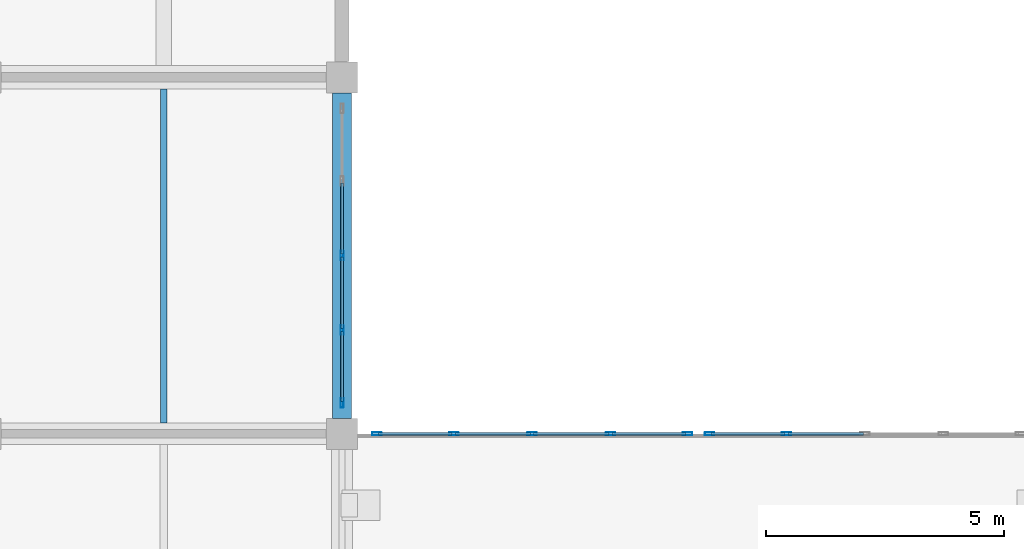
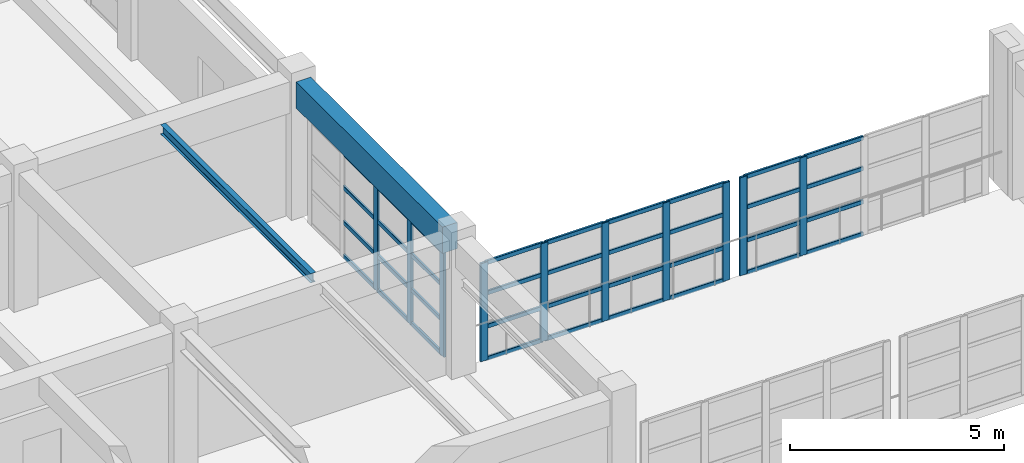
# One storey, part 50 of 132: 46 members, 2 beams, 3 elements without a shape of their own.
"""IFC4 building model written with IfcOpenShell, lengths in metres."""

from ifc_helpers import new_model, si_unit, direction, frame, origin, origin_2d, place, context, subcontext, project, spatial, rectangle, hollow_rectangle, i_section, extrude, material, material_profile, profile_set, type_object, element, aggregate, save


model = new_model("IFC4")

# Units and contexts
model_context = context("Model", 3, precision=1e-05, world=origin(), true_north=direction((0.0, 1.0)))
body_context = subcontext(model_context, "Body", "Model", "MODEL_VIEW")
ifc_project = project(units=[si_unit("LENGTHUNIT", "METRE"), si_unit("AREAUNIT", "SQUARE_METRE"), si_unit("VOLUMEUNIT", "CUBIC_METRE"), si_unit("PLANEANGLEUNIT", "RADIAN"), si_unit("MASSUNIT", "GRAM", prefix="KILO")], contexts=[model_context])

# Site, building, storey
site_placement = place(None, origin())
site = spatial("IfcSite", under=ifc_project, at=site_placement, CompositionType="ELEMENT")
building_placement = place(site_placement, origin())
building = spatial("IfcBuilding", under=site, at=building_placement, Name="Qasida Concert Hall", CompositionType="ELEMENT")
storey_placement = place(building_placement, frame((0.0, 0.0, 4.800048828125)))
storey = spatial("IfcBuildingStorey", under=building, at=storey_placement, Name="L01", CompositionType="ELEMENT", Elevation=4.800048828125)

# Beams
ifc_material_1 = material(Name="Steel S355J2", Category="steel")
ifc_material_profile_1 = material_profile(ifc_material_1, i_section(OverallWidth=0.135009765625, OverallDepth=0.27001953125, WebThickness=0.006591796875, FlangeThickness=0.01025390625, FilletRadius=0.014892578125, at=origin_2d()), Name="IPE 270")
ifc_profile_set_1 = profile_set([ifc_material_profile_1], Name="Steel S355J2")
beam_type_1 = type_object("IfcBeamType", Name="BM-J6", PredefinedType="JOIST", material=ifc_profile_set_1)
beam_1_placement = place(storey_placement, frame((33.75, 82.72509765625, 3.784912109375), z_axis=(0.0, 1.0, 0.0), x_axis=(-1.0, 0.0, 0.0)))
element("IfcBeam", 1, at=beam_1_placement, inside=storey, type_object=beam_type_1, Name="L01 secondary joist 1133", PredefinedType="JOIST", context=body_context, shape_type="SweptSolid", body=[
    extrude(i_section(OverallWidth=0.135009765625, OverallDepth=0.27001953125, WebThickness=0.006591796875, FlangeThickness=0.01025390625, FilletRadius=0.014892578125, at=origin_2d()), origin(), (0.0, 0.0, 1.0), 7.02490234375),
])
ifc_material_2 = material(Name="Concrete C40/50", Category="concrete")
ifc_material_profile_2 = material_profile(ifc_material_2, rectangle(XDim=0.39990234375, YDim=0.75, at=origin_2d()), Name="RC 400x750")
ifc_profile_set_2 = profile_set([ifc_material_profile_2], Name="Concrete C40/50")
beam_type_2 = type_object("IfcBeamType", Name="BM-SP1", PredefinedType="SPANDREL", material=ifc_profile_set_2)
beam_2_placement = place(storey_placement, frame((37.5, 82.824951171875, 3.544921875), z_axis=(0.0, 1.0, 0.0), x_axis=(-1.0, 0.0, 0.0)))
element("IfcBeam", 2, at=beam_2_placement, inside=storey, type_object=beam_type_2, Name="L01 girder 1110", PredefinedType="SPANDREL", context=body_context, shape_type="SweptSolid", body=[
    extrude(rectangle(XDim=0.39990234375, YDim=0.75, at=origin_2d()), origin(), (0.0, 0.0, 1.0), 6.85009765625),
])

# Curtain wall, members
ifc_material_3 = material(Name="Architectural bronze-anodized aluminium and low-E glass", Category="aluminium")
curtain_wall_type = type_object("IfcCurtainWallType", Name="CW-08", PredefinedType="NOTDEFINED", material=ifc_material_3)
curtain_wall_1_placement = place(storey_placement, origin())
curtain_wall_1 = element("IfcCurtainWall", 3, at=curtain_wall_1_placement, inside=storey, type_object=curtain_wall_type, Name="L01 curtain wall CW-08 0186", PredefinedType="NOTDEFINED")
ifc_material_4 = material(Name="Architectural bronze-anodized aluminium EN AW-6063", Category="aluminium")
ifc_material_profile_3 = material_profile(ifc_material_4, hollow_rectangle(XDim=0.06494140625, YDim=0.199951171875, WallThickness=0.0048828125, InnerFilletRadius=0.0048828125, OuterFilletRadius=0.010009765625, at=origin_2d()), Name="CWM 200x65x5")
ifc_profile_set_3 = profile_set([ifc_material_profile_3], Name="Architectural bronze-anodized aluminium EN AW-6063")
member_type_1 = type_object("IfcMemberType", Name="MB-CWM-2", PredefinedType="MULLION", material=ifc_profile_set_3)
member_1_placement = place(storey_placement, frame((37.5, 83.152587890625, 0.0), z_axis=(0.0, 0.0, 1.0), x_axis=(-1.0, 0.0, 0.0)))
member_1 = element("IfcMember", 4, at=member_1_placement, type_object=member_type_1, Name="CW-08 mullion 1", PredefinedType="MULLION", context=body_context, shape_type="SweptSolid", body=[
    extrude(hollow_rectangle(XDim=0.06494140625, YDim=0.199951171875, WallThickness=0.0048828125, InnerFilletRadius=0.0048828125, OuterFilletRadius=0.010009765625, at=origin_2d()), origin(), (0.0, 0.0, 1.0), 2.989990234375),
])
member_2_placement = place(storey_placement, frame((37.5, 84.68505859375, 0.0), z_axis=(0.0, 0.0, 1.0), x_axis=(-1.0, 0.0, 0.0)))
member_2 = element("IfcMember", 5, at=member_2_placement, type_object=member_type_1, Name="CW-08 mullion 2", PredefinedType="MULLION", context=body_context, shape_type="SweptSolid", body=[
    extrude(hollow_rectangle(XDim=0.06494140625, YDim=0.199951171875, WallThickness=0.0048828125, InnerFilletRadius=0.0048828125, OuterFilletRadius=0.010009765625, at=origin_2d()), origin(), (0.0, 0.0, 1.0), 2.989990234375),
])
member_3_placement = place(storey_placement, frame((37.5, 86.25, 0.0), z_axis=(0.0, 0.0, 1.0), x_axis=(-1.0, 0.0, 0.0)))
member_3 = element("IfcMember", 6, at=member_3_placement, type_object=member_type_1, Name="CW-08 mullion 3", PredefinedType="MULLION", context=body_context, shape_type="SweptSolid", body=[
    extrude(hollow_rectangle(XDim=0.06494140625, YDim=0.199951171875, WallThickness=0.0048828125, InnerFilletRadius=0.0048828125, OuterFilletRadius=0.010009765625, at=origin_2d()), origin(), (0.0, 0.0, 1.0), 2.989990234375),
])

curtain_wall_2_placement = place(storey_placement, origin())
curtain_wall_2 = element("IfcCurtainWall", 7, at=curtain_wall_2_placement, inside=storey, type_object=curtain_wall_type, Name="L01 link bridge glazing 0215", PredefinedType="NOTDEFINED")
member_4_placement = place(storey_placement, frame((38.232421875, 82.5, 0.0), z_axis=(0.0, 0.0, 1.0), x_axis=(0.0, 1.0, 0.0)))
member_4 = element("IfcMember", 8, at=member_4_placement, type_object=member_type_1, Name="CW-08 mullion 1", PredefinedType="MULLION", context=body_context, shape_type="SweptSolid", body=[
    extrude(hollow_rectangle(XDim=0.06494140625, YDim=0.199951171875, WallThickness=0.0048828125, InnerFilletRadius=0.0048828125, OuterFilletRadius=0.010009765625, at=origin_2d()), origin(), (0.0, 0.0, 1.0), 2.800048828125),
])
member_5_placement = place(storey_placement, frame((39.85009765625, 82.5, 0.0), z_axis=(0.0, 0.0, 1.0), x_axis=(0.0, 1.0, 0.0)))
member_5 = element("IfcMember", 9, at=member_5_placement, type_object=member_type_1, Name="CW-08 mullion 2", PredefinedType="MULLION", context=body_context, shape_type="SweptSolid", body=[
    extrude(hollow_rectangle(XDim=0.06494140625, YDim=0.199951171875, WallThickness=0.0048828125, InnerFilletRadius=0.0048828125, OuterFilletRadius=0.010009765625, at=origin_2d()), origin(), (0.0, 0.0, 1.0), 2.800048828125),
])
member_6_placement = place(storey_placement, frame((41.5, 82.5, 0.0), z_axis=(0.0, 0.0, 1.0), x_axis=(0.0, 1.0, 0.0)))
member_6 = element("IfcMember", 10, at=member_6_placement, type_object=member_type_1, Name="CW-08 mullion 3", PredefinedType="MULLION", context=body_context, shape_type="SweptSolid", body=[
    extrude(hollow_rectangle(XDim=0.06494140625, YDim=0.199951171875, WallThickness=0.0048828125, InnerFilletRadius=0.0048828125, OuterFilletRadius=0.010009765625, at=origin_2d()), origin(), (0.0, 0.0, 1.0), 2.800048828125),
])
member_7_placement = place(storey_placement, frame((43.14990234375, 82.5, 0.0), z_axis=(0.0, 0.0, 1.0), x_axis=(0.0, 1.0, 0.0)))
member_7 = element("IfcMember", 11, at=member_7_placement, type_object=member_type_1, Name="CW-08 mullion 4", PredefinedType="MULLION", context=body_context, shape_type="SweptSolid", body=[
    extrude(hollow_rectangle(XDim=0.06494140625, YDim=0.199951171875, WallThickness=0.0048828125, InnerFilletRadius=0.0048828125, OuterFilletRadius=0.010009765625, at=origin_2d()), origin(), (0.0, 0.0, 1.0), 2.800048828125),
])
member_8_placement = place(storey_placement, frame((44.767578125, 82.5, 0.0), z_axis=(0.0, 0.0, 1.0), x_axis=(0.0, 1.0, 0.0)))
member_8 = element("IfcMember", 12, at=member_8_placement, type_object=member_type_1, Name="CW-08 mullion 5", PredefinedType="MULLION", context=body_context, shape_type="SweptSolid", body=[
    extrude(hollow_rectangle(XDim=0.06494140625, YDim=0.199951171875, WallThickness=0.0048828125, InnerFilletRadius=0.0048828125, OuterFilletRadius=0.010009765625, at=origin_2d()), origin(), (0.0, 0.0, 1.0), 2.800048828125),
])

curtain_wall_3_placement = place(storey_placement, origin())
curtain_wall_3 = element("IfcCurtainWall", 13, at=curtain_wall_3_placement, inside=storey, type_object=curtain_wall_type, Name="L01 link bridge glazing 0217", PredefinedType="NOTDEFINED")
member_9_placement = place(storey_placement, frame((45.232421875, 82.5, 0.0), z_axis=(0.0, 0.0, 1.0), x_axis=(0.0, 1.0, 0.0)))
member_9 = element("IfcMember", 14, at=member_9_placement, type_object=member_type_1, Name="CW-08 mullion 1", PredefinedType="MULLION", context=body_context, shape_type="SweptSolid", body=[
    extrude(hollow_rectangle(XDim=0.06494140625, YDim=0.199951171875, WallThickness=0.0048828125, InnerFilletRadius=0.0048828125, OuterFilletRadius=0.010009765625, at=origin_2d()), origin(), (0.0, 0.0, 1.0), 2.800048828125),
])
member_10_placement = place(storey_placement, frame((46.85009765625, 82.5, 0.0), z_axis=(0.0, 0.0, 1.0), x_axis=(0.0, 1.0, 0.0)))
member_10 = element("IfcMember", 15, at=member_10_placement, type_object=member_type_1, Name="CW-08 mullion 2", PredefinedType="MULLION", context=body_context, shape_type="SweptSolid", body=[
    extrude(hollow_rectangle(XDim=0.06494140625, YDim=0.199951171875, WallThickness=0.0048828125, InnerFilletRadius=0.0048828125, OuterFilletRadius=0.010009765625, at=origin_2d()), origin(), (0.0, 0.0, 1.0), 2.800048828125),
])

# Member
ifc_material_profile_4 = material_profile(ifc_material_4, hollow_rectangle(XDim=0.06005859375, YDim=0.1201171875, WallThickness=0.00390625, InnerFilletRadius=0.00390625, OuterFilletRadius=0.008056640625, at=origin_2d()), Name="CWT 120x60x4")
ifc_profile_set_4 = profile_set([ifc_material_profile_4], Name="Architectural bronze-anodized aluminium EN AW-6063")
member_type_2 = type_object("IfcMemberType", Name="MB-CWT-2", PredefinedType="USERDEFINED", material=ifc_profile_set_4)
member_11_placement = place(storey_placement, frame((37.5, 83.18505859375, 0.030029296875), z_axis=(0.0, 1.0, 0.0), x_axis=(-1.0, 0.0, 0.0)))
member_11 = element("IfcMember", 16, at=member_11_placement, type_object=member_type_2, Name="CW-08 transom 1.1", ObjectType="TRANSOM", PredefinedType="USERDEFINED", context=body_context, shape_type="SweptSolid", body=[
    extrude(hollow_rectangle(XDim=0.06005859375, YDim=0.1201171875, WallThickness=0.00390625, InnerFilletRadius=0.00390625, OuterFilletRadius=0.008056640625, at=origin_2d()), origin(), (0.0, 0.0, 1.0), 1.467529296875),
])

member_12_placement = place(storey_placement, frame((37.5, 83.18505859375, 0.99658203125), z_axis=(0.0, 1.0, 0.0), x_axis=(-1.0, 0.0, 0.0)))
member_12 = element("IfcMember", 17, at=member_12_placement, type_object=member_type_2, Name="CW-08 transom 1.2", ObjectType="TRANSOM", PredefinedType="USERDEFINED", context=body_context, shape_type="SweptSolid", body=[
    extrude(hollow_rectangle(XDim=0.06005859375, YDim=0.1201171875, WallThickness=0.00390625, InnerFilletRadius=0.00390625, OuterFilletRadius=0.008056640625, at=origin_2d()), origin(), (0.0, 0.0, 1.0), 1.467529296875),
])

member_13_placement = place(storey_placement, frame((37.5, 83.18505859375, 1.9931640625), z_axis=(0.0, 1.0, 0.0), x_axis=(-1.0, 0.0, 0.0)))
member_13 = element("IfcMember", 18, at=member_13_placement, type_object=member_type_2, Name="CW-08 transom 1.3", ObjectType="TRANSOM", PredefinedType="USERDEFINED", context=body_context, shape_type="SweptSolid", body=[
    extrude(hollow_rectangle(XDim=0.06005859375, YDim=0.1201171875, WallThickness=0.00390625, InnerFilletRadius=0.00390625, OuterFilletRadius=0.008056640625, at=origin_2d()), origin(), (0.0, 0.0, 1.0), 1.467529296875),
])

member_14_placement = place(storey_placement, frame((37.5, 83.18505859375, 2.9599609375), z_axis=(0.0, 1.0, 0.0), x_axis=(-1.0, 0.0, 0.0)))
member_14 = element("IfcMember", 19, at=member_14_placement, type_object=member_type_2, Name="CW-08 transom 1.4", ObjectType="TRANSOM", PredefinedType="USERDEFINED", context=body_context, shape_type="SweptSolid", body=[
    extrude(hollow_rectangle(XDim=0.06005859375, YDim=0.1201171875, WallThickness=0.00390625, InnerFilletRadius=0.00390625, OuterFilletRadius=0.008056640625, at=origin_2d()), origin(), (0.0, 0.0, 1.0), 1.467529296875),
])

member_15_placement = place(storey_placement, frame((37.5, 84.717529296875, 0.030029296875), z_axis=(0.0, 1.0, 0.0), x_axis=(-1.0, 0.0, 0.0)))
member_15 = element("IfcMember", 20, at=member_15_placement, type_object=member_type_2, Name="CW-08 transom 2.1", ObjectType="TRANSOM", PredefinedType="USERDEFINED", context=body_context, shape_type="SweptSolid", body=[
    extrude(hollow_rectangle(XDim=0.06005859375, YDim=0.1201171875, WallThickness=0.00390625, InnerFilletRadius=0.00390625, OuterFilletRadius=0.008056640625, at=origin_2d()), origin(), (0.0, 0.0, 1.0), 1.5),
])

member_16_placement = place(storey_placement, frame((37.5, 84.717529296875, 0.99658203125), z_axis=(0.0, 1.0, 0.0), x_axis=(-1.0, 0.0, 0.0)))
member_16 = element("IfcMember", 21, at=member_16_placement, type_object=member_type_2, Name="CW-08 transom 2.2", ObjectType="TRANSOM", PredefinedType="USERDEFINED", context=body_context, shape_type="SweptSolid", body=[
    extrude(hollow_rectangle(XDim=0.06005859375, YDim=0.1201171875, WallThickness=0.00390625, InnerFilletRadius=0.00390625, OuterFilletRadius=0.008056640625, at=origin_2d()), origin(), (0.0, 0.0, 1.0), 1.5),
])

member_17_placement = place(storey_placement, frame((37.5, 84.717529296875, 1.9931640625), z_axis=(0.0, 1.0, 0.0), x_axis=(-1.0, 0.0, 0.0)))
member_17 = element("IfcMember", 22, at=member_17_placement, type_object=member_type_2, Name="CW-08 transom 2.3", ObjectType="TRANSOM", PredefinedType="USERDEFINED", context=body_context, shape_type="SweptSolid", body=[
    extrude(hollow_rectangle(XDim=0.06005859375, YDim=0.1201171875, WallThickness=0.00390625, InnerFilletRadius=0.00390625, OuterFilletRadius=0.008056640625, at=origin_2d()), origin(), (0.0, 0.0, 1.0), 1.5),
])

member_18_placement = place(storey_placement, frame((37.5, 84.717529296875, 2.9599609375), z_axis=(0.0, 1.0, 0.0), x_axis=(-1.0, 0.0, 0.0)))
member_18 = element("IfcMember", 23, at=member_18_placement, type_object=member_type_2, Name="CW-08 transom 2.4", ObjectType="TRANSOM", PredefinedType="USERDEFINED", context=body_context, shape_type="SweptSolid", body=[
    extrude(hollow_rectangle(XDim=0.06005859375, YDim=0.1201171875, WallThickness=0.00390625, InnerFilletRadius=0.00390625, OuterFilletRadius=0.008056640625, at=origin_2d()), origin(), (0.0, 0.0, 1.0), 1.5),
])

member_19_placement = place(storey_placement, frame((37.5, 86.282470703125, 0.030029296875), z_axis=(0.0, 1.0, 0.0), x_axis=(-1.0, 0.0, 0.0)))
member_19 = element("IfcMember", 24, at=member_19_placement, type_object=member_type_2, Name="CW-08 transom 3.1", ObjectType="TRANSOM", PredefinedType="USERDEFINED", context=body_context, shape_type="SweptSolid", body=[
    extrude(hollow_rectangle(XDim=0.06005859375, YDim=0.1201171875, WallThickness=0.00390625, InnerFilletRadius=0.00390625, OuterFilletRadius=0.008056640625, at=origin_2d()), origin(), (0.0, 0.0, 1.0), 1.5),
])

member_20_placement = place(storey_placement, frame((37.5, 86.282470703125, 0.99658203125), z_axis=(0.0, 1.0, 0.0), x_axis=(-1.0, 0.0, 0.0)))
member_20 = element("IfcMember", 25, at=member_20_placement, type_object=member_type_2, Name="CW-08 transom 3.2", ObjectType="TRANSOM", PredefinedType="USERDEFINED", context=body_context, shape_type="SweptSolid", body=[
    extrude(hollow_rectangle(XDim=0.06005859375, YDim=0.1201171875, WallThickness=0.00390625, InnerFilletRadius=0.00390625, OuterFilletRadius=0.008056640625, at=origin_2d()), origin(), (0.0, 0.0, 1.0), 1.5),
])

member_21_placement = place(storey_placement, frame((37.5, 86.282470703125, 1.9931640625), z_axis=(0.0, 1.0, 0.0), x_axis=(-1.0, 0.0, 0.0)))
member_21 = element("IfcMember", 26, at=member_21_placement, type_object=member_type_2, Name="CW-08 transom 3.3", ObjectType="TRANSOM", PredefinedType="USERDEFINED", context=body_context, shape_type="SweptSolid", body=[
    extrude(hollow_rectangle(XDim=0.06005859375, YDim=0.1201171875, WallThickness=0.00390625, InnerFilletRadius=0.00390625, OuterFilletRadius=0.008056640625, at=origin_2d()), origin(), (0.0, 0.0, 1.0), 1.5),
])

member_22_placement = place(storey_placement, frame((37.5, 86.282470703125, 2.9599609375), z_axis=(0.0, 1.0, 0.0), x_axis=(-1.0, 0.0, 0.0)))
member_22 = element("IfcMember", 27, at=member_22_placement, type_object=member_type_2, Name="CW-08 transom 3.4", ObjectType="TRANSOM", PredefinedType="USERDEFINED", context=body_context, shape_type="SweptSolid", body=[
    extrude(hollow_rectangle(XDim=0.06005859375, YDim=0.1201171875, WallThickness=0.00390625, InnerFilletRadius=0.00390625, OuterFilletRadius=0.008056640625, at=origin_2d()), origin(), (0.0, 0.0, 1.0), 1.5),
])

aggregate(curtain_wall_1, [member_1, member_2, member_3, member_11, member_12, member_13, member_14, member_15, member_16, member_17, member_18, member_19, member_20, member_21, member_22])

member_23_placement = place(storey_placement, frame((38.264892578125, 82.5, 0.030029296875), z_axis=(1.0, 0.0, 0.0), x_axis=(0.0, 1.0, 0.0)))
member_23 = element("IfcMember", 28, at=member_23_placement, type_object=member_type_2, Name="CW-08 transom 1.1", ObjectType="TRANSOM", PredefinedType="USERDEFINED", context=body_context, shape_type="SweptSolid", body=[
    extrude(hollow_rectangle(XDim=0.06005859375, YDim=0.1201171875, WallThickness=0.00390625, InnerFilletRadius=0.00390625, OuterFilletRadius=0.008056640625, at=origin_2d()), origin(), (0.0, 0.0, 1.0), 1.552490234375),
])

member_24_placement = place(storey_placement, frame((38.264892578125, 82.5, 0.949951171875), z_axis=(1.0, 0.0, 0.0), x_axis=(0.0, 1.0, 0.0)))
member_24 = element("IfcMember", 29, at=member_24_placement, type_object=member_type_2, Name="CW-08 transom 1.2", ObjectType="TRANSOM", PredefinedType="USERDEFINED", context=body_context, shape_type="SweptSolid", body=[
    extrude(hollow_rectangle(XDim=0.06005859375, YDim=0.1201171875, WallThickness=0.00390625, InnerFilletRadius=0.00390625, OuterFilletRadius=0.008056640625, at=origin_2d()), origin(), (0.0, 0.0, 1.0), 1.552490234375),
])

member_25_placement = place(storey_placement, frame((38.264892578125, 82.5, 1.89990234375), z_axis=(1.0, 0.0, 0.0), x_axis=(0.0, 1.0, 0.0)))
member_25 = element("IfcMember", 30, at=member_25_placement, type_object=member_type_2, Name="CW-08 transom 1.3", ObjectType="TRANSOM", PredefinedType="USERDEFINED", context=body_context, shape_type="SweptSolid", body=[
    extrude(hollow_rectangle(XDim=0.06005859375, YDim=0.1201171875, WallThickness=0.00390625, InnerFilletRadius=0.00390625, OuterFilletRadius=0.008056640625, at=origin_2d()), origin(), (0.0, 0.0, 1.0), 1.552490234375),
])

member_26_placement = place(storey_placement, frame((38.264892578125, 82.5, 2.77001953125), z_axis=(1.0, 0.0, 0.0), x_axis=(0.0, 1.0, 0.0)))
member_26 = element("IfcMember", 31, at=member_26_placement, type_object=member_type_2, Name="CW-08 transom 1.4", ObjectType="TRANSOM", PredefinedType="USERDEFINED", context=body_context, shape_type="SweptSolid", body=[
    extrude(hollow_rectangle(XDim=0.06005859375, YDim=0.1201171875, WallThickness=0.00390625, InnerFilletRadius=0.00390625, OuterFilletRadius=0.008056640625, at=origin_2d()), origin(), (0.0, 0.0, 1.0), 1.552490234375),
])

member_27_placement = place(storey_placement, frame((39.882568359375, 82.5, 0.030029296875), z_axis=(1.0, 0.0, 0.0), x_axis=(0.0, 1.0, 0.0)))
member_27 = element("IfcMember", 32, at=member_27_placement, type_object=member_type_2, Name="CW-08 transom 2.1", ObjectType="TRANSOM", PredefinedType="USERDEFINED", context=body_context, shape_type="SweptSolid", body=[
    extrude(hollow_rectangle(XDim=0.06005859375, YDim=0.1201171875, WallThickness=0.00390625, InnerFilletRadius=0.00390625, OuterFilletRadius=0.008056640625, at=origin_2d()), origin(), (0.0, 0.0, 1.0), 1.5849609375),
])

member_28_placement = place(storey_placement, frame((39.882568359375, 82.5, 0.949951171875), z_axis=(1.0, 0.0, 0.0), x_axis=(0.0, 1.0, 0.0)))
member_28 = element("IfcMember", 33, at=member_28_placement, type_object=member_type_2, Name="CW-08 transom 2.2", ObjectType="TRANSOM", PredefinedType="USERDEFINED", context=body_context, shape_type="SweptSolid", body=[
    extrude(hollow_rectangle(XDim=0.06005859375, YDim=0.1201171875, WallThickness=0.00390625, InnerFilletRadius=0.00390625, OuterFilletRadius=0.008056640625, at=origin_2d()), origin(), (0.0, 0.0, 1.0), 1.5849609375),
])

member_29_placement = place(storey_placement, frame((39.882568359375, 82.5, 1.89990234375), z_axis=(1.0, 0.0, 0.0), x_axis=(0.0, 1.0, 0.0)))
member_29 = element("IfcMember", 34, at=member_29_placement, type_object=member_type_2, Name="CW-08 transom 2.3", ObjectType="TRANSOM", PredefinedType="USERDEFINED", context=body_context, shape_type="SweptSolid", body=[
    extrude(hollow_rectangle(XDim=0.06005859375, YDim=0.1201171875, WallThickness=0.00390625, InnerFilletRadius=0.00390625, OuterFilletRadius=0.008056640625, at=origin_2d()), origin(), (0.0, 0.0, 1.0), 1.5849609375),
])

member_30_placement = place(storey_placement, frame((39.882568359375, 82.5, 2.77001953125), z_axis=(1.0, 0.0, 0.0), x_axis=(0.0, 1.0, 0.0)))
member_30 = element("IfcMember", 35, at=member_30_placement, type_object=member_type_2, Name="CW-08 transom 2.4", ObjectType="TRANSOM", PredefinedType="USERDEFINED", context=body_context, shape_type="SweptSolid", body=[
    extrude(hollow_rectangle(XDim=0.06005859375, YDim=0.1201171875, WallThickness=0.00390625, InnerFilletRadius=0.00390625, OuterFilletRadius=0.008056640625, at=origin_2d()), origin(), (0.0, 0.0, 1.0), 1.5849609375),
])

member_31_placement = place(storey_placement, frame((41.532470703125, 82.5, 0.030029296875), z_axis=(1.0, 0.0, 0.0), x_axis=(0.0, 1.0, 0.0)))
member_31 = element("IfcMember", 36, at=member_31_placement, type_object=member_type_2, Name="CW-08 transom 3.1", ObjectType="TRANSOM", PredefinedType="USERDEFINED", context=body_context, shape_type="SweptSolid", body=[
    extrude(hollow_rectangle(XDim=0.06005859375, YDim=0.1201171875, WallThickness=0.00390625, InnerFilletRadius=0.00390625, OuterFilletRadius=0.008056640625, at=origin_2d()), origin(), (0.0, 0.0, 1.0), 1.5849609375),
])

member_32_placement = place(storey_placement, frame((41.532470703125, 82.5, 0.949951171875), z_axis=(1.0, 0.0, 0.0), x_axis=(0.0, 1.0, 0.0)))
member_32 = element("IfcMember", 37, at=member_32_placement, type_object=member_type_2, Name="CW-08 transom 3.2", ObjectType="TRANSOM", PredefinedType="USERDEFINED", context=body_context, shape_type="SweptSolid", body=[
    extrude(hollow_rectangle(XDim=0.06005859375, YDim=0.1201171875, WallThickness=0.00390625, InnerFilletRadius=0.00390625, OuterFilletRadius=0.008056640625, at=origin_2d()), origin(), (0.0, 0.0, 1.0), 1.5849609375),
])

member_33_placement = place(storey_placement, frame((41.532470703125, 82.5, 1.89990234375), z_axis=(1.0, 0.0, 0.0), x_axis=(0.0, 1.0, 0.0)))
member_33 = element("IfcMember", 38, at=member_33_placement, type_object=member_type_2, Name="CW-08 transom 3.3", ObjectType="TRANSOM", PredefinedType="USERDEFINED", context=body_context, shape_type="SweptSolid", body=[
    extrude(hollow_rectangle(XDim=0.06005859375, YDim=0.1201171875, WallThickness=0.00390625, InnerFilletRadius=0.00390625, OuterFilletRadius=0.008056640625, at=origin_2d()), origin(), (0.0, 0.0, 1.0), 1.5849609375),
])

member_34_placement = place(storey_placement, frame((41.532470703125, 82.5, 2.77001953125), z_axis=(1.0, 0.0, 0.0), x_axis=(0.0, 1.0, 0.0)))
member_34 = element("IfcMember", 39, at=member_34_placement, type_object=member_type_2, Name="CW-08 transom 3.4", ObjectType="TRANSOM", PredefinedType="USERDEFINED", context=body_context, shape_type="SweptSolid", body=[
    extrude(hollow_rectangle(XDim=0.06005859375, YDim=0.1201171875, WallThickness=0.00390625, InnerFilletRadius=0.00390625, OuterFilletRadius=0.008056640625, at=origin_2d()), origin(), (0.0, 0.0, 1.0), 1.5849609375),
])

member_35_placement = place(storey_placement, frame((43.1826171875, 82.5, 0.030029296875), z_axis=(1.0, 0.0, 0.0), x_axis=(0.0, 1.0, 0.0)))
member_35 = element("IfcMember", 40, at=member_35_placement, type_object=member_type_2, Name="CW-08 transom 4.1", ObjectType="TRANSOM", PredefinedType="USERDEFINED", context=body_context, shape_type="SweptSolid", body=[
    extrude(hollow_rectangle(XDim=0.06005859375, YDim=0.1201171875, WallThickness=0.00390625, InnerFilletRadius=0.00390625, OuterFilletRadius=0.008056640625, at=origin_2d()), origin(), (0.0, 0.0, 1.0), 1.552490234375),
])

member_36_placement = place(storey_placement, frame((43.1826171875, 82.5, 0.949951171875), z_axis=(1.0, 0.0, 0.0), x_axis=(0.0, 1.0, 0.0)))
member_36 = element("IfcMember", 41, at=member_36_placement, type_object=member_type_2, Name="CW-08 transom 4.2", ObjectType="TRANSOM", PredefinedType="USERDEFINED", context=body_context, shape_type="SweptSolid", body=[
    extrude(hollow_rectangle(XDim=0.06005859375, YDim=0.1201171875, WallThickness=0.00390625, InnerFilletRadius=0.00390625, OuterFilletRadius=0.008056640625, at=origin_2d()), origin(), (0.0, 0.0, 1.0), 1.552490234375),
])

member_37_placement = place(storey_placement, frame((43.1826171875, 82.5, 1.89990234375), z_axis=(1.0, 0.0, 0.0), x_axis=(0.0, 1.0, 0.0)))
member_37 = element("IfcMember", 42, at=member_37_placement, type_object=member_type_2, Name="CW-08 transom 4.3", ObjectType="TRANSOM", PredefinedType="USERDEFINED", context=body_context, shape_type="SweptSolid", body=[
    extrude(hollow_rectangle(XDim=0.06005859375, YDim=0.1201171875, WallThickness=0.00390625, InnerFilletRadius=0.00390625, OuterFilletRadius=0.008056640625, at=origin_2d()), origin(), (0.0, 0.0, 1.0), 1.552490234375),
])

member_38_placement = place(storey_placement, frame((43.1826171875, 82.5, 2.77001953125), z_axis=(1.0, 0.0, 0.0), x_axis=(0.0, 1.0, 0.0)))
member_38 = element("IfcMember", 43, at=member_38_placement, type_object=member_type_2, Name="CW-08 transom 4.4", ObjectType="TRANSOM", PredefinedType="USERDEFINED", context=body_context, shape_type="SweptSolid", body=[
    extrude(hollow_rectangle(XDim=0.06005859375, YDim=0.1201171875, WallThickness=0.00390625, InnerFilletRadius=0.00390625, OuterFilletRadius=0.008056640625, at=origin_2d()), origin(), (0.0, 0.0, 1.0), 1.552490234375),
])

aggregate(curtain_wall_2, [member_4, member_5, member_6, member_7, member_8, member_23, member_24, member_25, member_26, member_27, member_28, member_29, member_30, member_31, member_32, member_33, member_34, member_35, member_36, member_37, member_38])

member_39_placement = place(storey_placement, frame((45.264892578125, 82.5, 0.030029296875), z_axis=(1.0, 0.0, 0.0), x_axis=(0.0, 1.0, 0.0)))
member_39 = element("IfcMember", 44, at=member_39_placement, type_object=member_type_2, Name="CW-08 transom 1.1", ObjectType="TRANSOM", PredefinedType="USERDEFINED", context=body_context, shape_type="SweptSolid", body=[
    extrude(hollow_rectangle(XDim=0.06005859375, YDim=0.1201171875, WallThickness=0.00390625, InnerFilletRadius=0.00390625, OuterFilletRadius=0.008056640625, at=origin_2d()), origin(), (0.0, 0.0, 1.0), 1.552490234375),
])

member_40_placement = place(storey_placement, frame((45.264892578125, 82.5, 0.949951171875), z_axis=(1.0, 0.0, 0.0), x_axis=(0.0, 1.0, 0.0)))
member_40 = element("IfcMember", 45, at=member_40_placement, type_object=member_type_2, Name="CW-08 transom 1.2", ObjectType="TRANSOM", PredefinedType="USERDEFINED", context=body_context, shape_type="SweptSolid", body=[
    extrude(hollow_rectangle(XDim=0.06005859375, YDim=0.1201171875, WallThickness=0.00390625, InnerFilletRadius=0.00390625, OuterFilletRadius=0.008056640625, at=origin_2d()), origin(), (0.0, 0.0, 1.0), 1.552490234375),
])

member_41_placement = place(storey_placement, frame((45.264892578125, 82.5, 1.89990234375), z_axis=(1.0, 0.0, 0.0), x_axis=(0.0, 1.0, 0.0)))
member_41 = element("IfcMember", 46, at=member_41_placement, type_object=member_type_2, Name="CW-08 transom 1.3", ObjectType="TRANSOM", PredefinedType="USERDEFINED", context=body_context, shape_type="SweptSolid", body=[
    extrude(hollow_rectangle(XDim=0.06005859375, YDim=0.1201171875, WallThickness=0.00390625, InnerFilletRadius=0.00390625, OuterFilletRadius=0.008056640625, at=origin_2d()), origin(), (0.0, 0.0, 1.0), 1.552490234375),
])

member_42_placement = place(storey_placement, frame((45.264892578125, 82.5, 2.77001953125), z_axis=(1.0, 0.0, 0.0), x_axis=(0.0, 1.0, 0.0)))
member_42 = element("IfcMember", 47, at=member_42_placement, type_object=member_type_2, Name="CW-08 transom 1.4", ObjectType="TRANSOM", PredefinedType="USERDEFINED", context=body_context, shape_type="SweptSolid", body=[
    extrude(hollow_rectangle(XDim=0.06005859375, YDim=0.1201171875, WallThickness=0.00390625, InnerFilletRadius=0.00390625, OuterFilletRadius=0.008056640625, at=origin_2d()), origin(), (0.0, 0.0, 1.0), 1.552490234375),
])

member_43_placement = place(storey_placement, frame((46.882568359375, 82.5, 0.030029296875), z_axis=(1.0, 0.0, 0.0), x_axis=(0.0, 1.0, 0.0)))
member_43 = element("IfcMember", 48, at=member_43_placement, type_object=member_type_2, Name="CW-08 transom 2.1", ObjectType="TRANSOM", PredefinedType="USERDEFINED", context=body_context, shape_type="SweptSolid", body=[
    extrude(hollow_rectangle(XDim=0.06005859375, YDim=0.1201171875, WallThickness=0.00390625, InnerFilletRadius=0.00390625, OuterFilletRadius=0.008056640625, at=origin_2d()), origin(), (0.0, 0.0, 1.0), 1.5849609375),
])

member_44_placement = place(storey_placement, frame((46.882568359375, 82.5, 0.949951171875), z_axis=(1.0, 0.0, 0.0), x_axis=(0.0, 1.0, 0.0)))
member_44 = element("IfcMember", 49, at=member_44_placement, type_object=member_type_2, Name="CW-08 transom 2.2", ObjectType="TRANSOM", PredefinedType="USERDEFINED", context=body_context, shape_type="SweptSolid", body=[
    extrude(hollow_rectangle(XDim=0.06005859375, YDim=0.1201171875, WallThickness=0.00390625, InnerFilletRadius=0.00390625, OuterFilletRadius=0.008056640625, at=origin_2d()), origin(), (0.0, 0.0, 1.0), 1.5849609375),
])

member_45_placement = place(storey_placement, frame((46.882568359375, 82.5, 1.89990234375), z_axis=(1.0, 0.0, 0.0), x_axis=(0.0, 1.0, 0.0)))
member_45 = element("IfcMember", 50, at=member_45_placement, type_object=member_type_2, Name="CW-08 transom 2.3", ObjectType="TRANSOM", PredefinedType="USERDEFINED", context=body_context, shape_type="SweptSolid", body=[
    extrude(hollow_rectangle(XDim=0.06005859375, YDim=0.1201171875, WallThickness=0.00390625, InnerFilletRadius=0.00390625, OuterFilletRadius=0.008056640625, at=origin_2d()), origin(), (0.0, 0.0, 1.0), 1.5849609375),
])

member_46_placement = place(storey_placement, frame((46.882568359375, 82.5, 2.77001953125), z_axis=(1.0, 0.0, 0.0), x_axis=(0.0, 1.0, 0.0)))
member_46 = element("IfcMember", 51, at=member_46_placement, type_object=member_type_2, Name="CW-08 transom 2.4", ObjectType="TRANSOM", PredefinedType="USERDEFINED", context=body_context, shape_type="SweptSolid", body=[
    extrude(hollow_rectangle(XDim=0.06005859375, YDim=0.1201171875, WallThickness=0.00390625, InnerFilletRadius=0.00390625, OuterFilletRadius=0.008056640625, at=origin_2d()), origin(), (0.0, 0.0, 1.0), 1.5849609375),
])

aggregate(curtain_wall_3, [member_9, member_10, member_39, member_40, member_41, member_42, member_43, member_44, member_45, member_46])

save(model, "model.ifc")
